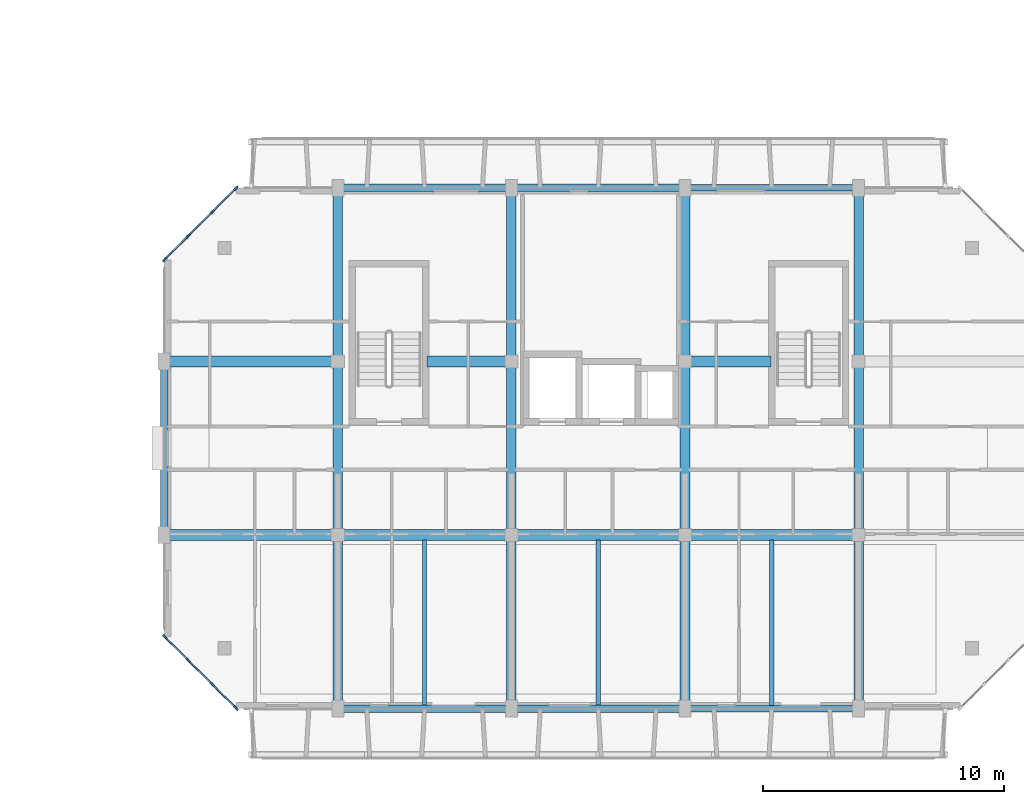
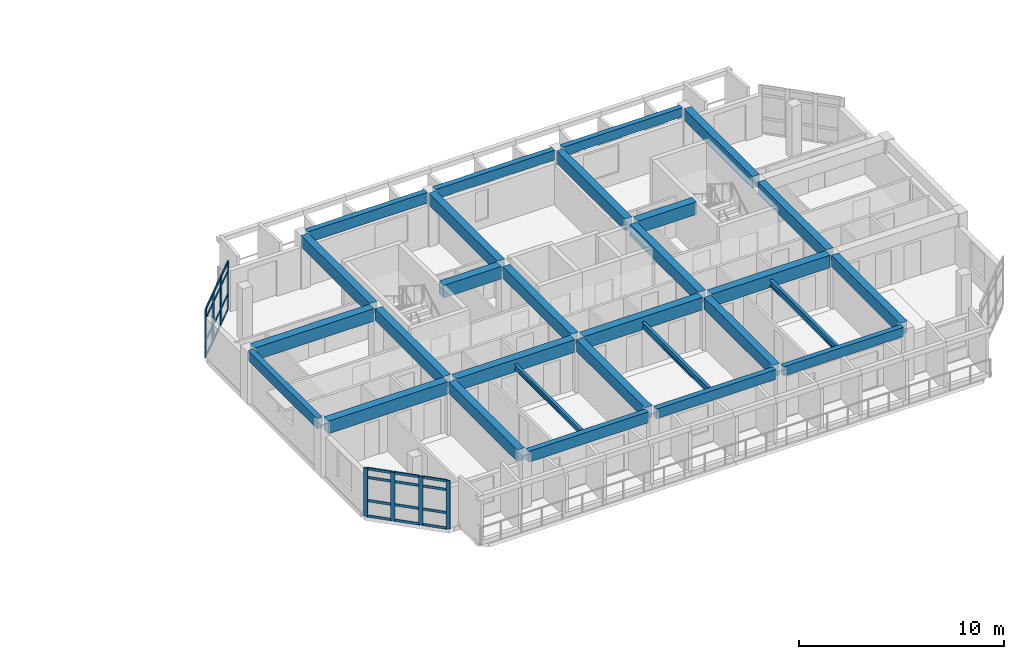
# One storey, part 8 of 51: 32 members, 29 beams, 2 elements without a shape of their own.
"""IFC4 building model written with IfcOpenShell, lengths in metres."""

from ifc_helpers import new_model, si_unit, direction, frame, origin, origin_2d, place, context, subcontext, project, spatial, rectangle, i_section, extrude, material, layer, layer_set, material_profile, profile_set, type_object, element, aggregate, save


model = new_model("IFC4")

# Units and contexts
model_context = context("Model", 3, precision=1e-05, world=origin(), true_north=direction((0.0, 1.0)))
body_context = subcontext(model_context, "Body", "Model", "MODEL_VIEW")
ifc_project = project(units=[si_unit("LENGTHUNIT", "METRE"), si_unit("AREAUNIT", "SQUARE_METRE"), si_unit("VOLUMEUNIT", "CUBIC_METRE"), si_unit("PLANEANGLEUNIT", "RADIAN"), si_unit("MASSUNIT", "GRAM", prefix="KILO")], contexts=[model_context])

# Site, building, storey
site_placement = place(None, origin())
site = spatial("IfcSite", under=ifc_project, at=site_placement, CompositionType="ELEMENT")
building_placement = place(site_placement, origin())
building = spatial("IfcBuilding", under=site, at=building_placement, Name="Ochrevale Crest", CompositionType="ELEMENT")
storey_placement = place(building_placement, frame((0.0, 0.0, 11.85009765625)))
storey = spatial("IfcBuildingStorey", under=building, at=storey_placement, Name="L03", CompositionType="ELEMENT", Elevation=11.85009765625)

# Beams
ifc_material_1 = material(Name="Precast concrete C50/60", Category="concrete")
ifc_material_profile_1 = material_profile(ifc_material_1, rectangle(XDim=0.39990234375, YDim=0.699951171875, at=origin_2d()), Name="PC 400x700")
ifc_profile_set_1 = profile_set([ifc_material_profile_1], Name="Precast concrete C50/60")
beam_type_1 = type_object("IfcBeamType", Name="BM-PC400x700", PredefinedType="BEAM", material=ifc_profile_set_1)
beam_1_placement = place(storey_placement, frame((136.800048828125, 14.6298828125, 2.7998046875), z_axis=(0.0, 1.0, 0.0), x_axis=(-1.0, 0.0, 0.0)))
element("IfcBeam", 1, at=beam_1_placement, inside=storey, type_object=beam_type_1, Name="Block C L03 N-S beam X=136.8", PredefinedType="BEAM", context=body_context, shape_type="SweptSolid", body=[
    extrude(rectangle(XDim=0.39990234375, YDim=0.699951171875, at=origin_2d()), origin(), (0.0, 0.0, 1.0), 6.715087890625),
])
beam_2_placement = place(storey_placement, frame((136.800048828125, 21.85498046875, 2.7998046875), z_axis=(0.0, 1.0, 0.0), x_axis=(-1.0, 0.0, 0.0)))
element("IfcBeam", 2, at=beam_2_placement, inside=storey, type_object=beam_type_1, Name="Block C L03 N-S beam X=136.8", PredefinedType="BEAM", context=body_context, shape_type="SweptSolid", body=[
    extrude(rectangle(XDim=0.39990234375, YDim=0.699951171875, at=origin_2d()), origin(), (0.0, 0.0, 1.0), 6.68994140625),
])
for number, where, z_axis, x_axis, name in (
    (3, (136.800048828125, 29.054931640625, 2.7998046875), (0.0, 1.0, 0.0), (-1.0, 0.0, 0.0), "Block C L03 N-S beam X=136.8"),
    (4, (144.0, 14.6298828125, 2.7998046875), (0.0, 1.0, 0.0), (-1.0, 0.0, 0.0), "Block C L03 N-S beam X=144.0"),
):
    element("IfcBeam", number, at=place(storey_placement, frame(where, z_axis=z_axis, x_axis=x_axis)), inside=storey, type_object=beam_type_1, Name=name, PredefinedType="BEAM", context=body_context, shape_type="SweptSolid", body=[
        extrude(rectangle(XDim=0.39990234375, YDim=0.699951171875, at=origin_2d()), origin(), (0.0, 0.0, 1.0), 6.715087890625),
    ])
beam_3_placement = place(storey_placement, frame((144.0, 21.85498046875, 2.7998046875), z_axis=(0.0, 1.0, 0.0), x_axis=(-1.0, 0.0, 0.0)))
element("IfcBeam", 5, at=beam_3_placement, inside=storey, type_object=beam_type_1, Name="Block C L03 N-S beam X=144.0", PredefinedType="BEAM", context=body_context, shape_type="SweptSolid", body=[
    extrude(rectangle(XDim=0.39990234375, YDim=0.699951171875, at=origin_2d()), origin(), (0.0, 0.0, 1.0), 6.68994140625),
])
for number, where, z_axis, x_axis, name in (
    (6, (144.0, 29.054931640625, 2.7998046875), (0.0, 1.0, 0.0), (-1.0, 0.0, 0.0), "Block C L03 N-S beam X=144.0"),
    (7, (151.199951171875, 14.6298828125, 2.7998046875), (0.0, 1.0, 0.0), (-1.0, 0.0, 0.0), "Block C L03 N-S beam X=151.2"),
):
    element("IfcBeam", number, at=place(storey_placement, frame(where, z_axis=z_axis, x_axis=x_axis)), inside=storey, type_object=beam_type_1, Name=name, PredefinedType="BEAM", context=body_context, shape_type="SweptSolid", body=[
        extrude(rectangle(XDim=0.39990234375, YDim=0.699951171875, at=origin_2d()), origin(), (0.0, 0.0, 1.0), 6.715087890625),
    ])
beam_4_placement = place(storey_placement, frame((151.199951171875, 21.85498046875, 2.7998046875), z_axis=(0.0, 1.0, 0.0), x_axis=(-1.0, 0.0, 0.0)))
element("IfcBeam", 8, at=beam_4_placement, inside=storey, type_object=beam_type_1, Name="Block C L03 N-S beam X=151.2", PredefinedType="BEAM", context=body_context, shape_type="SweptSolid", body=[
    extrude(rectangle(XDim=0.39990234375, YDim=0.699951171875, at=origin_2d()), origin(), (0.0, 0.0, 1.0), 6.68994140625),
])
for number, where, z_axis, x_axis, name in (
    (9, (151.199951171875, 29.054931640625, 2.7998046875), (0.0, 1.0, 0.0), (-1.0, 0.0, 0.0), "Block C L03 N-S beam X=151.2"),
    (10, (158.39990234375, 14.6298828125, 2.7998046875), (0.0, 1.0, 0.0), (-1.0, 0.0, 0.0), "Block C L03 N-S beam X=158.4"),
):
    element("IfcBeam", number, at=place(storey_placement, frame(where, z_axis=z_axis, x_axis=x_axis)), inside=storey, type_object=beam_type_1, Name=name, PredefinedType="BEAM", context=body_context, shape_type="SweptSolid", body=[
        extrude(rectangle(XDim=0.39990234375, YDim=0.699951171875, at=origin_2d()), origin(), (0.0, 0.0, 1.0), 6.715087890625),
    ])
beam_5_placement = place(storey_placement, frame((158.39990234375, 21.85498046875, 2.7998046875), z_axis=(0.0, 1.0, 0.0), x_axis=(-1.0, 0.0, 0.0)))
element("IfcBeam", 11, at=beam_5_placement, inside=storey, type_object=beam_type_1, Name="Block C L03 N-S beam X=158.4", PredefinedType="BEAM", context=body_context, shape_type="SweptSolid", body=[
    extrude(rectangle(XDim=0.39990234375, YDim=0.699951171875, at=origin_2d()), origin(), (0.0, 0.0, 1.0), 6.68994140625),
])
beam_6_placement = place(storey_placement, frame((158.39990234375, 29.054931640625, 2.7998046875), z_axis=(0.0, 1.0, 0.0), x_axis=(-1.0, 0.0, 0.0)))
element("IfcBeam", 12, at=beam_6_placement, inside=storey, type_object=beam_type_1, Name="Block C L03 N-S beam X=158.4", PredefinedType="BEAM", context=body_context, shape_type="SweptSolid", body=[
    extrude(rectangle(XDim=0.39990234375, YDim=0.699951171875, at=origin_2d()), origin(), (0.0, 0.0, 1.0), 6.715087890625),
])
ifc_material_2 = material(Name="Concrete C50/60", Category="concrete")
ifc_material_profile_2 = material_profile(ifc_material_2, rectangle(XDim=0.449951171875, YDim=0.75, at=origin_2d()), Name="RC 450x750")
ifc_profile_set_2 = profile_set([ifc_material_profile_2], Name="Concrete C50/60")
beam_type_2 = type_object("IfcBeamType", Name="BM-PG450x750", PredefinedType="USERDEFINED", material=ifc_profile_set_2)
beam_7_placement = place(storey_placement, frame((129.824951171875, 21.60009765625, 2.77490234375), z_axis=(1.0, 0.0, 0.0), x_axis=(0.0, 1.0, 0.0)))
element("IfcBeam", 13, at=beam_7_placement, inside=storey, type_object=beam_type_2, Name="Block C L03 E-W beam Y=21.6", ObjectType="GIRDER", PredefinedType="USERDEFINED", context=body_context, shape_type="SweptSolid", body=[
    extrude(rectangle(XDim=0.449951171875, YDim=0.75, at=origin_2d()), origin(), (0.0, 0.0, 1.0), 6.72509765625),
])
for number, where, z_axis, x_axis, name in (
    (14, (137.050048828125, 21.60009765625, 2.77490234375), (1.0, 0.0, 0.0), (0.0, 1.0, 0.0), "Block C L03 E-W beam Y=21.6"),
    (15, (144.25, 21.60009765625, 2.77490234375), (1.0, 0.0, 0.0), (0.0, 1.0, 0.0), "Block C L03 E-W beam Y=21.6"),
    (16, (151.449951171875, 21.60009765625, 2.77490234375), (1.0, 0.0, 0.0), (0.0, 1.0, 0.0), "Block C L03 E-W beam Y=21.6"),
):
    element("IfcBeam", number, at=place(storey_placement, frame(where, z_axis=z_axis, x_axis=x_axis)), inside=storey, type_object=beam_type_2, Name=name, ObjectType="GIRDER", PredefinedType="USERDEFINED", context=body_context, shape_type="SweptSolid", body=[
        extrude(rectangle(XDim=0.449951171875, YDim=0.75, at=origin_2d()), origin(), (0.0, 0.0, 1.0), 6.699951171875),
    ])
beam_8_placement = place(storey_placement, frame((129.824951171875, 28.800048828125, 2.77490234375), z_axis=(1.0, 0.0, 0.0), x_axis=(0.0, 1.0, 0.0)))
element("IfcBeam", 17, at=beam_8_placement, inside=storey, type_object=beam_type_2, Name="Block C L03 E-W beam Y=28.8", ObjectType="GIRDER", PredefinedType="USERDEFINED", context=body_context, shape_type="SweptSolid", body=[
    extrude(rectangle(XDim=0.449951171875, YDim=0.75, at=origin_2d()), origin(), (0.0, 0.0, 1.0), 6.72509765625),
])
beam_9_placement = place(storey_placement, frame((140.489990234375, 28.800048828125, 2.77490234375), z_axis=(1.0, 0.0, 0.0), x_axis=(0.0, 1.0, 0.0)))
element("IfcBeam", 18, at=beam_9_placement, inside=storey, type_object=beam_type_2, Name="Block C L03 E-W beam Y=28.8", ObjectType="GIRDER", PredefinedType="USERDEFINED", context=body_context, shape_type="SweptSolid", body=[
    extrude(rectangle(XDim=0.449951171875, YDim=0.75, at=origin_2d()), origin(), (0.0, 0.0, 1.0), 3.260009765625),
])
beam_10_placement = place(storey_placement, frame((151.449951171875, 28.800048828125, 2.77490234375), z_axis=(1.0, 0.0, 0.0), x_axis=(0.0, 1.0, 0.0)))
element("IfcBeam", 19, at=beam_10_placement, inside=storey, type_object=beam_type_2, Name="Block C L03 E-W beam Y=28.8", ObjectType="GIRDER", PredefinedType="USERDEFINED", context=body_context, shape_type="SweptSolid", body=[
    extrude(rectangle(XDim=0.449951171875, YDim=0.75, at=origin_2d()), origin(), (0.0, 0.0, 1.0), 3.31005859375),
])
ifc_material_3 = material(Name="Precast concrete C40/50", Category="concrete")
ifc_material_profile_3 = material_profile(ifc_material_3, rectangle(XDim=0.280029296875, YDim=0.550048828125, at=origin_2d()), Name="PC 280x550")
ifc_profile_set_3 = profile_set([ifc_material_profile_3], Name="Precast concrete C40/50")
beam_type_3 = type_object("IfcBeamType", Name="BM-SP280x550", PredefinedType="SPANDREL", material=ifc_profile_set_3)
for number, where, z_axis, x_axis, name in (
    (20, (151.425048828125, 14.39990234375, 2.875), (1.0, 0.0, 0.0), (0.0, 1.0, 0.0), "Block C L03 E-W beam Y=14.4"),
    (21, (151.425048828125, 36.0, 2.875), (1.0, 0.0, 0.0), (0.0, 1.0, 0.0), "Block C L03 E-W beam Y=36.0"),
):
    element("IfcBeam", number, at=place(storey_placement, frame(where, z_axis=z_axis, x_axis=x_axis)), inside=storey, type_object=beam_type_3, Name=name, PredefinedType="SPANDREL", context=body_context, shape_type="SweptSolid", body=[
        extrude(rectangle(XDim=0.280029296875, YDim=0.550048828125, at=origin_2d()), origin(), (0.0, 0.0, 1.0), 6.75),
    ])
ifc_material_profile_4 = material_profile(ifc_material_3, rectangle(XDim=0.300048828125, YDim=0.580078125, at=origin_2d()), Name="PC 300x580")
ifc_profile_set_4 = profile_set([ifc_material_profile_4], Name="Precast concrete C40/50")
beam_type_4 = type_object("IfcBeamType", Name="BM-SP300x580", PredefinedType="SPANDREL", material=ifc_profile_set_4)
for number, where, z_axis, x_axis, name in (
    (22, (144.22509765625, 14.39990234375, 2.85986328125), (1.0, 0.0, 0.0), (0.0, 1.0, 0.0), "Block C L03 E-W beam Y=14.4"),
    (23, (144.22509765625, 36.0, 2.85986328125), (1.0, 0.0, 0.0), (0.0, 1.0, 0.0), "Block C L03 E-W beam Y=36.0"),
):
    element("IfcBeam", number, at=place(storey_placement, frame(where, z_axis=z_axis, x_axis=x_axis)), inside=storey, type_object=beam_type_4, Name=name, PredefinedType="SPANDREL", context=body_context, shape_type="SweptSolid", body=[
        extrude(rectangle(XDim=0.300048828125, YDim=0.580078125, at=origin_2d()), origin(), (0.0, 0.0, 1.0), 6.75),
    ])
ifc_material_profile_5 = material_profile(ifc_material_3, rectangle(XDim=0.300048828125, YDim=0.60009765625, at=origin_2d()), Name="PC 300x600")
ifc_profile_set_5 = profile_set([ifc_material_profile_5], Name="Precast concrete C40/50")
beam_type_5 = type_object("IfcBeamType", Name="BM-SP300x600", PredefinedType="SPANDREL", material=ifc_profile_set_5)
beam_11_placement = place(storey_placement, frame((129.60009765625, 21.830078125, 2.849853515625), z_axis=(0.0, 1.0, 0.0), x_axis=(-1.0, 0.0, 0.0)))
element("IfcBeam", 24, at=beam_11_placement, inside=storey, type_object=beam_type_5, Name="Block C L03 N-S beam X=129.6", PredefinedType="SPANDREL", context=body_context, shape_type="SweptSolid", body=[
    extrude(rectangle(XDim=0.300048828125, YDim=0.60009765625, at=origin_2d()), origin(), (0.0, 0.0, 1.0), 6.739990234375),
])
ifc_material_profile_6 = material_profile(ifc_material_3, rectangle(XDim=0.300048828125, YDim=0.64990234375, at=origin_2d()), Name="PC 300x650")
ifc_profile_set_6 = profile_set([ifc_material_profile_6], Name="Precast concrete C40/50")
beam_type_6 = type_object("IfcBeamType", Name="BM-SP300x650", PredefinedType="SPANDREL", material=ifc_profile_set_6)
for number, where, z_axis, x_axis, name in (
    (25, (137.02490234375, 14.39990234375, 2.824951171875), (1.0, 0.0, 0.0), (0.0, 1.0, 0.0), "Block C L03 E-W beam Y=14.4"),
    (26, (137.02490234375, 36.0, 2.824951171875), (1.0, 0.0, 0.0), (0.0, 1.0, 0.0), "Block C L03 E-W beam Y=36.0"),
):
    element("IfcBeam", number, at=place(storey_placement, frame(where, z_axis=z_axis, x_axis=x_axis)), inside=storey, type_object=beam_type_6, Name=name, PredefinedType="SPANDREL", context=body_context, shape_type="SweptSolid", body=[
        extrude(rectangle(XDim=0.300048828125, YDim=0.64990234375, at=origin_2d()), origin(), (0.0, 0.0, 1.0), 6.75),
    ])
ifc_material_4 = material(Name="Steel S355", Category="steel")
ifc_material_profile_7 = material_profile(ifc_material_4, i_section(OverallWidth=0.1650390625, OverallDepth=0.3037109375, WebThickness=0.006103515625, FlangeThickness=0.01025390625, FilletRadius=0.011474609375, at=origin_2d()), Name="310UB40.4")
ifc_profile_set_7 = profile_set([ifc_material_profile_7], Name="Steel S355")
beam_type_7 = type_object("IfcBeamType", Name="BM-UB310A", PredefinedType="BEAM", material=ifc_profile_set_7)
beam_12_placement = place(storey_placement, frame((140.39990234375, 14.5380859375, 2.722900390625), z_axis=(0.0, 1.0, 0.0), x_axis=(-1.0, 0.0, 0.0)))
element("IfcBeam", 27, at=beam_12_placement, inside=storey, type_object=beam_type_7, Name="Block C L03 composite plank trimmer beam 2", PredefinedType="BEAM", context=body_context, shape_type="SweptSolid", body=[
    extrude(i_section(OverallWidth=0.1650390625, OverallDepth=0.3037109375, WebThickness=0.006103515625, FlangeThickness=0.01025390625, FilletRadius=0.011474609375, at=origin_2d()), origin(), (0.0, 0.0, 1.0), 6.848876953125),
])
ifc_material_profile_8 = material_profile(ifc_material_4, i_section(OverallWidth=0.17138671875, OverallDepth=0.355712890625, WebThickness=0.00732421875, FlangeThickness=0.011474609375, FilletRadius=0.011474609375, at=origin_2d()), Name="360UB50.7")
ifc_profile_set_8 = profile_set([ifc_material_profile_8], Name="Steel S355")
beam_type_8 = type_object("IfcBeamType", Name="BM-UB360A", PredefinedType="BEAM", material=ifc_profile_set_8)
beam_13_placement = place(storey_placement, frame((147.60009765625, 14.5380859375, 2.697021484375), z_axis=(0.0, 1.0, 0.0), x_axis=(-1.0, 0.0, 0.0)))
element("IfcBeam", 28, at=beam_13_placement, inside=storey, type_object=beam_type_8, Name="Block C L03 composite plank trimmer beam 3", PredefinedType="BEAM", context=body_context, shape_type="SweptSolid", body=[
    extrude(i_section(OverallWidth=0.17138671875, OverallDepth=0.355712890625, WebThickness=0.00732421875, FlangeThickness=0.011474609375, FilletRadius=0.011474609375, at=origin_2d()), origin(), (0.0, 0.0, 1.0), 6.848876953125),
])
ifc_material_profile_9 = material_profile(ifc_material_4, i_section(OverallWidth=0.172119140625, OverallDepth=0.358642578125, WebThickness=0.008056640625, FlangeThickness=0.012939453125, FilletRadius=0.011474609375, at=origin_2d()), Name="360UB56.7")
ifc_profile_set_9 = profile_set([ifc_material_profile_9], Name="Steel S355")
beam_type_9 = type_object("IfcBeamType", Name="BM-UB360B", PredefinedType="BEAM", material=ifc_profile_set_9)
beam_14_placement = place(storey_placement, frame((154.800048828125, 14.528076171875, 2.695556640625), z_axis=(0.0, 1.0, 0.0), x_axis=(-1.0, 0.0, 0.0)))
element("IfcBeam", 29, at=beam_14_placement, inside=storey, type_object=beam_type_9, Name="Block C L03 composite plank trimmer beam 4", PredefinedType="BEAM", context=body_context, shape_type="SweptSolid", body=[
    extrude(i_section(OverallWidth=0.172119140625, OverallDepth=0.358642578125, WebThickness=0.008056640625, FlangeThickness=0.012939453125, FilletRadius=0.011474609375, at=origin_2d()), origin(), (0.0, 0.0, 1.0), 6.85888671875),
])

# Curtain wall, members
ifc_material_5 = material(Name="Anodised aluminium 6063-T5", Category="aluminium")
ifc_layer_1 = layer(ifc_material_5, 0.14990234375)
ifc_layer_set_1 = layer_set([ifc_layer_1], Name="Anodised aluminium 6063-T5")
curtain_wall_type_1 = type_object("IfcCurtainWallType", Name="CW-WG-420x285", PredefinedType="NOTDEFINED", material=ifc_layer_set_1)
curtain_wall_1_placement = place(storey_placement, origin())
curtain_wall_1 = element("IfcCurtainWall", 30, at=curtain_wall_1_placement, inside=storey, type_object=curtain_wall_type_1, Name="Block C L03 chamfered corner wintergarden curtain wall 6", PredefinedType="NOTDEFINED")
ifc_material_profile_10 = material_profile(ifc_material_5, rectangle(XDim=0.074951171875, YDim=0.219970703125, at=origin_2d()), Name="ALU 75x220")
ifc_profile_set_10 = profile_set([ifc_material_profile_10], Name="Anodised aluminium 6063-T5")
member_type_1 = type_object("IfcMemberType", Name="CW-MUL-75x220", PredefinedType="MULLION", material=ifc_profile_set_10)
member_1_placement = place(storey_placement, frame((132.573486328125, 35.973388671875, 0.0), z_axis=(0.0, 0.0, 1.0), x_axis=(0.707106781187, -0.707106781187, 0.0)))
member_1 = element("IfcMember", 31, at=member_1_placement, type_object=member_type_1, Name="CW22 mullion 1", PredefinedType="MULLION", context=body_context, shape_type="SweptSolid", body=[
    extrude(rectangle(XDim=0.074951171875, YDim=0.219970703125, at=origin_2d()), origin(), (0.0, 0.0, 1.0), 2.875),
])
member_2_placement = place(storey_placement, frame((131.60009765625, 35.0, 0.0), z_axis=(0.0, 0.0, 1.0), x_axis=(0.707106781187, -0.707106781187, 0.0)))
member_2 = element("IfcMember", 32, at=member_2_placement, type_object=member_type_1, Name="CW22 mullion 2", PredefinedType="MULLION", context=body_context, shape_type="SweptSolid", body=[
    extrude(rectangle(XDim=0.074951171875, YDim=0.219970703125, at=origin_2d()), origin(), (0.0, 0.0, 1.0), 2.875),
])
member_3_placement = place(storey_placement, frame((130.60009765625, 34.0, 0.0), z_axis=(0.0, 0.0, 1.0), x_axis=(0.707106781187, -0.707106781187, 0.0)))
member_3 = element("IfcMember", 33, at=member_3_placement, type_object=member_type_1, Name="CW22 mullion 3", PredefinedType="MULLION", context=body_context, shape_type="SweptSolid", body=[
    extrude(rectangle(XDim=0.074951171875, YDim=0.219970703125, at=origin_2d()), origin(), (0.0, 0.0, 1.0), 2.875),
])
member_4_placement = place(storey_placement, frame((129.62646484375, 33.026611328125, 0.0), z_axis=(0.0, 0.0, 1.0), x_axis=(0.707106781187, -0.707106781187, 0.0)))
member_4 = element("IfcMember", 34, at=member_4_placement, type_object=member_type_1, Name="CW22 mullion 4", PredefinedType="MULLION", context=body_context, shape_type="SweptSolid", body=[
    extrude(rectangle(XDim=0.074951171875, YDim=0.219970703125, at=origin_2d()), origin(), (0.0, 0.0, 1.0), 2.875),
])

ifc_layer_2 = layer(ifc_material_5, 0.14990234375)
ifc_layer_set_2 = layer_set([ifc_layer_2], Name="Anodised aluminium 6063-T5")
curtain_wall_type_2 = type_object("IfcCurtainWallType", Name="CW-WG-280x285", PredefinedType="NOTDEFINED", material=ifc_layer_set_2)
curtain_wall_2_placement = place(storey_placement, origin())
curtain_wall_2 = element("IfcCurtainWall", 35, at=curtain_wall_2_placement, inside=storey, type_object=curtain_wall_type_2, Name="Block C L03 chamfered corner wintergarden curtain wall 8", PredefinedType="NOTDEFINED")
member_5_placement = place(storey_placement, frame((129.62646484375, 17.37353515625, 0.0), z_axis=(0.0, 0.0, 1.0), x_axis=(0.707106781187, 0.707106781187, 0.0)))
member_5 = element("IfcMember", 36, at=member_5_placement, type_object=member_type_1, Name="CW16 mullion 1", PredefinedType="MULLION", context=body_context, shape_type="SweptSolid", body=[
    extrude(rectangle(XDim=0.074951171875, YDim=0.219970703125, at=origin_2d()), origin(), (0.0, 0.0, 1.0), 2.875),
])
member_6_placement = place(storey_placement, frame((130.60009765625, 16.39990234375, 0.0), z_axis=(0.0, 0.0, 1.0), x_axis=(0.707106781187, 0.707106781187, 0.0)))
member_6 = element("IfcMember", 37, at=member_6_placement, type_object=member_type_1, Name="CW16 mullion 2", PredefinedType="MULLION", context=body_context, shape_type="SweptSolid", body=[
    extrude(rectangle(XDim=0.074951171875, YDim=0.219970703125, at=origin_2d()), origin(), (0.0, 0.0, 1.0), 2.875),
])
member_7_placement = place(storey_placement, frame((131.60009765625, 15.39990234375, 0.0), z_axis=(0.0, 0.0, 1.0), x_axis=(0.707106781187, 0.707106781187, 0.0)))
member_7 = element("IfcMember", 38, at=member_7_placement, type_object=member_type_1, Name="CW16 mullion 3", PredefinedType="MULLION", context=body_context, shape_type="SweptSolid", body=[
    extrude(rectangle(XDim=0.074951171875, YDim=0.219970703125, at=origin_2d()), origin(), (0.0, 0.0, 1.0), 2.875),
])
member_8_placement = place(storey_placement, frame((132.573486328125, 14.426513671875, 0.0), z_axis=(0.0, 0.0, 1.0), x_axis=(0.707106781187, 0.707106781187, 0.0)))
member_8 = element("IfcMember", 39, at=member_8_placement, type_object=member_type_1, Name="CW16 mullion 4", PredefinedType="MULLION", context=body_context, shape_type="SweptSolid", body=[
    extrude(rectangle(XDim=0.074951171875, YDim=0.219970703125, at=origin_2d()), origin(), (0.0, 0.0, 1.0), 2.875),
])

# Member
ifc_material_profile_11 = material_profile(ifc_material_5, rectangle(XDim=0.06005859375, YDim=0.14990234375, at=origin_2d()), Name="ALU 60x150")
ifc_profile_set_11 = profile_set([ifc_material_profile_11], Name="Anodised aluminium 6063-T5")
member_type_2 = type_object("IfcMemberType", Name="CW-TRN-60x150", PredefinedType="USERDEFINED", material=ifc_profile_set_11)
member_9_placement = place(storey_placement, frame((132.546875, 35.947021484375, 0.02978515625), z_axis=(-0.707106781187, -0.707106781187, 0.0), x_axis=(0.707106781187, -0.707106781187, 0.0)))
member_9 = element("IfcMember", 40, at=member_9_placement, type_object=member_type_2, Name="CW22 transom 1.1", ObjectType="TRANSOM", PredefinedType="USERDEFINED", context=body_context, shape_type="SweptSolid", body=[
    extrude(rectangle(XDim=0.06005859375, YDim=0.14990234375, at=origin_2d()), origin(), (0.0, 0.0, 1.0), 1.3017578125),
])

member_10_placement = place(storey_placement, frame((132.546875, 35.947021484375, 0.949951171875), z_axis=(-0.707106781187, -0.707106781187, 0.0), x_axis=(0.707106781187, -0.707106781187, 0.0)))
member_10 = element("IfcMember", 41, at=member_10_placement, type_object=member_type_2, Name="CW22 transom 1.2", ObjectType="TRANSOM", PredefinedType="USERDEFINED", context=body_context, shape_type="SweptSolid", body=[
    extrude(rectangle(XDim=0.06005859375, YDim=0.14990234375, at=origin_2d()), origin(), (0.0, 0.0, 1.0), 1.3017578125),
])

member_11_placement = place(storey_placement, frame((132.546875, 35.947021484375, 2.324951171875), z_axis=(-0.707106781187, -0.707106781187, 0.0), x_axis=(0.707106781187, -0.707106781187, 0.0)))
member_11 = element("IfcMember", 42, at=member_11_placement, type_object=member_type_2, Name="CW22 transom 1.3", ObjectType="TRANSOM", PredefinedType="USERDEFINED", context=body_context, shape_type="SweptSolid", body=[
    extrude(rectangle(XDim=0.06005859375, YDim=0.14990234375, at=origin_2d()), origin(), (0.0, 0.0, 1.0), 1.3017578125),
])

member_12_placement = place(storey_placement, frame((132.546875, 35.947021484375, 2.844970703125), z_axis=(-0.707106781187, -0.707106781187, 0.0), x_axis=(0.707106781187, -0.707106781187, 0.0)))
member_12 = element("IfcMember", 43, at=member_12_placement, type_object=member_type_2, Name="CW22 transom 1.4", ObjectType="TRANSOM", PredefinedType="USERDEFINED", context=body_context, shape_type="SweptSolid", body=[
    extrude(rectangle(XDim=0.06005859375, YDim=0.14990234375, at=origin_2d()), origin(), (0.0, 0.0, 1.0), 1.3017578125),
])

member_13_placement = place(storey_placement, frame((131.573486328125, 34.973388671875, 0.02978515625), z_axis=(-0.707197932559, -0.707015618062, 0.0), x_axis=(0.707015618062, -0.707197932559, 0.0)))
member_13 = element("IfcMember", 44, at=member_13_placement, type_object=member_type_2, Name="CW22 transom 2.1", ObjectType="TRANSOM", PredefinedType="USERDEFINED", context=body_context, shape_type="SweptSolid", body=[
    extrude(rectangle(XDim=0.06005859375, YDim=0.14990234375, at=origin_2d()), origin(), (0.0, 0.0, 1.0), 1.339111328125),
])

member_14_placement = place(storey_placement, frame((131.573486328125, 34.973388671875, 0.949951171875), z_axis=(-0.707197932559, -0.707015618062, 0.0), x_axis=(0.707015618062, -0.707197932559, 0.0)))
member_14 = element("IfcMember", 45, at=member_14_placement, type_object=member_type_2, Name="CW22 transom 2.2", ObjectType="TRANSOM", PredefinedType="USERDEFINED", context=body_context, shape_type="SweptSolid", body=[
    extrude(rectangle(XDim=0.06005859375, YDim=0.14990234375, at=origin_2d()), origin(), (0.0, 0.0, 1.0), 1.339111328125),
])

member_15_placement = place(storey_placement, frame((131.573486328125, 34.973388671875, 2.324951171875), z_axis=(-0.707197932559, -0.707015618062, 0.0), x_axis=(0.707015618062, -0.707197932559, 0.0)))
member_15 = element("IfcMember", 46, at=member_15_placement, type_object=member_type_2, Name="CW22 transom 2.3", ObjectType="TRANSOM", PredefinedType="USERDEFINED", context=body_context, shape_type="SweptSolid", body=[
    extrude(rectangle(XDim=0.06005859375, YDim=0.14990234375, at=origin_2d()), origin(), (0.0, 0.0, 1.0), 1.339111328125),
])

member_16_placement = place(storey_placement, frame((131.573486328125, 34.973388671875, 2.844970703125), z_axis=(-0.707197932559, -0.707015618062, 0.0), x_axis=(0.707015618062, -0.707197932559, 0.0)))
member_16 = element("IfcMember", 47, at=member_16_placement, type_object=member_type_2, Name="CW22 transom 2.4", ObjectType="TRANSOM", PredefinedType="USERDEFINED", context=body_context, shape_type="SweptSolid", body=[
    extrude(rectangle(XDim=0.06005859375, YDim=0.14990234375, at=origin_2d()), origin(), (0.0, 0.0, 1.0), 1.339111328125),
])

member_17_placement = place(storey_placement, frame((130.573486328125, 33.973388671875, 0.02978515625), z_axis=(-0.707106781187, -0.707106781187, 0.0), x_axis=(0.707106781187, -0.707106781187, 0.0)))
member_17 = element("IfcMember", 48, at=member_17_placement, type_object=member_type_2, Name="CW22 transom 3.1", ObjectType="TRANSOM", PredefinedType="USERDEFINED", context=body_context, shape_type="SweptSolid", body=[
    extrude(rectangle(XDim=0.06005859375, YDim=0.14990234375, at=origin_2d()), origin(), (0.0, 0.0, 1.0), 1.3017578125),
])

member_18_placement = place(storey_placement, frame((130.573486328125, 33.973388671875, 0.949951171875), z_axis=(-0.707106781187, -0.707106781187, 0.0), x_axis=(0.707106781187, -0.707106781187, 0.0)))
member_18 = element("IfcMember", 49, at=member_18_placement, type_object=member_type_2, Name="CW22 transom 3.2", ObjectType="TRANSOM", PredefinedType="USERDEFINED", context=body_context, shape_type="SweptSolid", body=[
    extrude(rectangle(XDim=0.06005859375, YDim=0.14990234375, at=origin_2d()), origin(), (0.0, 0.0, 1.0), 1.3017578125),
])

member_19_placement = place(storey_placement, frame((130.573486328125, 33.973388671875, 2.324951171875), z_axis=(-0.707106781187, -0.707106781187, 0.0), x_axis=(0.707106781187, -0.707106781187, 0.0)))
member_19 = element("IfcMember", 50, at=member_19_placement, type_object=member_type_2, Name="CW22 transom 3.3", ObjectType="TRANSOM", PredefinedType="USERDEFINED", context=body_context, shape_type="SweptSolid", body=[
    extrude(rectangle(XDim=0.06005859375, YDim=0.14990234375, at=origin_2d()), origin(), (0.0, 0.0, 1.0), 1.3017578125),
])

member_20_placement = place(storey_placement, frame((130.573486328125, 33.973388671875, 2.844970703125), z_axis=(-0.707106781187, -0.707106781187, 0.0), x_axis=(0.707106781187, -0.707106781187, 0.0)))
member_20 = element("IfcMember", 51, at=member_20_placement, type_object=member_type_2, Name="CW22 transom 3.4", ObjectType="TRANSOM", PredefinedType="USERDEFINED", context=body_context, shape_type="SweptSolid", body=[
    extrude(rectangle(XDim=0.06005859375, YDim=0.14990234375, at=origin_2d()), origin(), (0.0, 0.0, 1.0), 1.3017578125),
])

aggregate(curtain_wall_1, [member_1, member_2, member_3, member_4, member_9, member_10, member_11, member_12, member_13, member_14, member_15, member_16, member_17, member_18, member_19, member_20])

member_21_placement = place(storey_placement, frame((129.653076171875, 17.346923828125, 0.02978515625), z_axis=(0.707106781187, -0.707106781187, 0.0), x_axis=(0.707106781187, 0.707106781187, 0.0)))
member_21 = element("IfcMember", 52, at=member_21_placement, type_object=member_type_2, Name="CW16 transom 1.1", ObjectType="TRANSOM", PredefinedType="USERDEFINED", context=body_context, shape_type="SweptSolid", body=[
    extrude(rectangle(XDim=0.06005859375, YDim=0.14990234375, at=origin_2d()), origin(), (0.0, 0.0, 1.0), 1.3017578125),
])

member_22_placement = place(storey_placement, frame((129.653076171875, 17.346923828125, 0.949951171875), z_axis=(0.707106781187, -0.707106781187, 0.0), x_axis=(0.707106781187, 0.707106781187, 0.0)))
member_22 = element("IfcMember", 53, at=member_22_placement, type_object=member_type_2, Name="CW16 transom 1.2", ObjectType="TRANSOM", PredefinedType="USERDEFINED", context=body_context, shape_type="SweptSolid", body=[
    extrude(rectangle(XDim=0.06005859375, YDim=0.14990234375, at=origin_2d()), origin(), (0.0, 0.0, 1.0), 1.3017578125),
])

member_23_placement = place(storey_placement, frame((129.653076171875, 17.346923828125, 2.324951171875), z_axis=(0.707106781187, -0.707106781187, 0.0), x_axis=(0.707106781187, 0.707106781187, 0.0)))
member_23 = element("IfcMember", 54, at=member_23_placement, type_object=member_type_2, Name="CW16 transom 1.3", ObjectType="TRANSOM", PredefinedType="USERDEFINED", context=body_context, shape_type="SweptSolid", body=[
    extrude(rectangle(XDim=0.06005859375, YDim=0.14990234375, at=origin_2d()), origin(), (0.0, 0.0, 1.0), 1.3017578125),
])

member_24_placement = place(storey_placement, frame((129.653076171875, 17.346923828125, 2.844970703125), z_axis=(0.707106781187, -0.707106781187, 0.0), x_axis=(0.707106781187, 0.707106781187, 0.0)))
member_24 = element("IfcMember", 55, at=member_24_placement, type_object=member_type_2, Name="CW16 transom 1.4", ObjectType="TRANSOM", PredefinedType="USERDEFINED", context=body_context, shape_type="SweptSolid", body=[
    extrude(rectangle(XDim=0.06005859375, YDim=0.14990234375, at=origin_2d()), origin(), (0.0, 0.0, 1.0), 1.3017578125),
])

member_25_placement = place(storey_placement, frame((130.62646484375, 16.37353515625, 0.02978515625), z_axis=(0.707106781187, -0.707106781187, 0.0), x_axis=(0.707106781187, 0.707106781187, 0.0)))
member_25 = element("IfcMember", 56, at=member_25_placement, type_object=member_type_2, Name="CW16 transom 2.1", ObjectType="TRANSOM", PredefinedType="USERDEFINED", context=body_context, shape_type="SweptSolid", body=[
    extrude(rectangle(XDim=0.06005859375, YDim=0.14990234375, at=origin_2d()), origin(), (0.0, 0.0, 1.0), 1.33935546875),
])

member_26_placement = place(storey_placement, frame((130.62646484375, 16.37353515625, 0.949951171875), z_axis=(0.707106781187, -0.707106781187, 0.0), x_axis=(0.707106781187, 0.707106781187, 0.0)))
member_26 = element("IfcMember", 57, at=member_26_placement, type_object=member_type_2, Name="CW16 transom 2.2", ObjectType="TRANSOM", PredefinedType="USERDEFINED", context=body_context, shape_type="SweptSolid", body=[
    extrude(rectangle(XDim=0.06005859375, YDim=0.14990234375, at=origin_2d()), origin(), (0.0, 0.0, 1.0), 1.33935546875),
])

member_27_placement = place(storey_placement, frame((130.62646484375, 16.37353515625, 2.324951171875), z_axis=(0.707106781187, -0.707106781187, 0.0), x_axis=(0.707106781187, 0.707106781187, 0.0)))
member_27 = element("IfcMember", 58, at=member_27_placement, type_object=member_type_2, Name="CW16 transom 2.3", ObjectType="TRANSOM", PredefinedType="USERDEFINED", context=body_context, shape_type="SweptSolid", body=[
    extrude(rectangle(XDim=0.06005859375, YDim=0.14990234375, at=origin_2d()), origin(), (0.0, 0.0, 1.0), 1.33935546875),
])

member_28_placement = place(storey_placement, frame((130.62646484375, 16.37353515625, 2.844970703125), z_axis=(0.707106781187, -0.707106781187, 0.0), x_axis=(0.707106781187, 0.707106781187, 0.0)))
member_28 = element("IfcMember", 59, at=member_28_placement, type_object=member_type_2, Name="CW16 transom 2.4", ObjectType="TRANSOM", PredefinedType="USERDEFINED", context=body_context, shape_type="SweptSolid", body=[
    extrude(rectangle(XDim=0.06005859375, YDim=0.14990234375, at=origin_2d()), origin(), (0.0, 0.0, 1.0), 1.33935546875),
])

member_29_placement = place(storey_placement, frame((131.62646484375, 15.37353515625, 0.02978515625), z_axis=(0.707106781187, -0.707106781187, 0.0), x_axis=(0.707106781187, 0.707106781187, 0.0)))
member_29 = element("IfcMember", 60, at=member_29_placement, type_object=member_type_2, Name="CW16 transom 3.1", ObjectType="TRANSOM", PredefinedType="USERDEFINED", context=body_context, shape_type="SweptSolid", body=[
    extrude(rectangle(XDim=0.06005859375, YDim=0.14990234375, at=origin_2d()), origin(), (0.0, 0.0, 1.0), 1.3017578125),
])

member_30_placement = place(storey_placement, frame((131.62646484375, 15.37353515625, 0.949951171875), z_axis=(0.707106781187, -0.707106781187, 0.0), x_axis=(0.707106781187, 0.707106781187, 0.0)))
member_30 = element("IfcMember", 61, at=member_30_placement, type_object=member_type_2, Name="CW16 transom 3.2", ObjectType="TRANSOM", PredefinedType="USERDEFINED", context=body_context, shape_type="SweptSolid", body=[
    extrude(rectangle(XDim=0.06005859375, YDim=0.14990234375, at=origin_2d()), origin(), (0.0, 0.0, 1.0), 1.3017578125),
])

member_31_placement = place(storey_placement, frame((131.62646484375, 15.37353515625, 2.324951171875), z_axis=(0.707106781187, -0.707106781187, 0.0), x_axis=(0.707106781187, 0.707106781187, 0.0)))
member_31 = element("IfcMember", 62, at=member_31_placement, type_object=member_type_2, Name="CW16 transom 3.3", ObjectType="TRANSOM", PredefinedType="USERDEFINED", context=body_context, shape_type="SweptSolid", body=[
    extrude(rectangle(XDim=0.06005859375, YDim=0.14990234375, at=origin_2d()), origin(), (0.0, 0.0, 1.0), 1.3017578125),
])

member_32_placement = place(storey_placement, frame((131.62646484375, 15.37353515625, 2.844970703125), z_axis=(0.707106781187, -0.707106781187, 0.0), x_axis=(0.707106781187, 0.707106781187, 0.0)))
member_32 = element("IfcMember", 63, at=member_32_placement, type_object=member_type_2, Name="CW16 transom 3.4", ObjectType="TRANSOM", PredefinedType="USERDEFINED", context=body_context, shape_type="SweptSolid", body=[
    extrude(rectangle(XDim=0.06005859375, YDim=0.14990234375, at=origin_2d()), origin(), (0.0, 0.0, 1.0), 1.3017578125),
])

aggregate(curtain_wall_2, [member_5, member_6, member_7, member_8, member_21, member_22, member_23, member_24, member_25, member_26, member_27, member_28, member_29, member_30, member_31, member_32])

save(model, "model.ifc")
